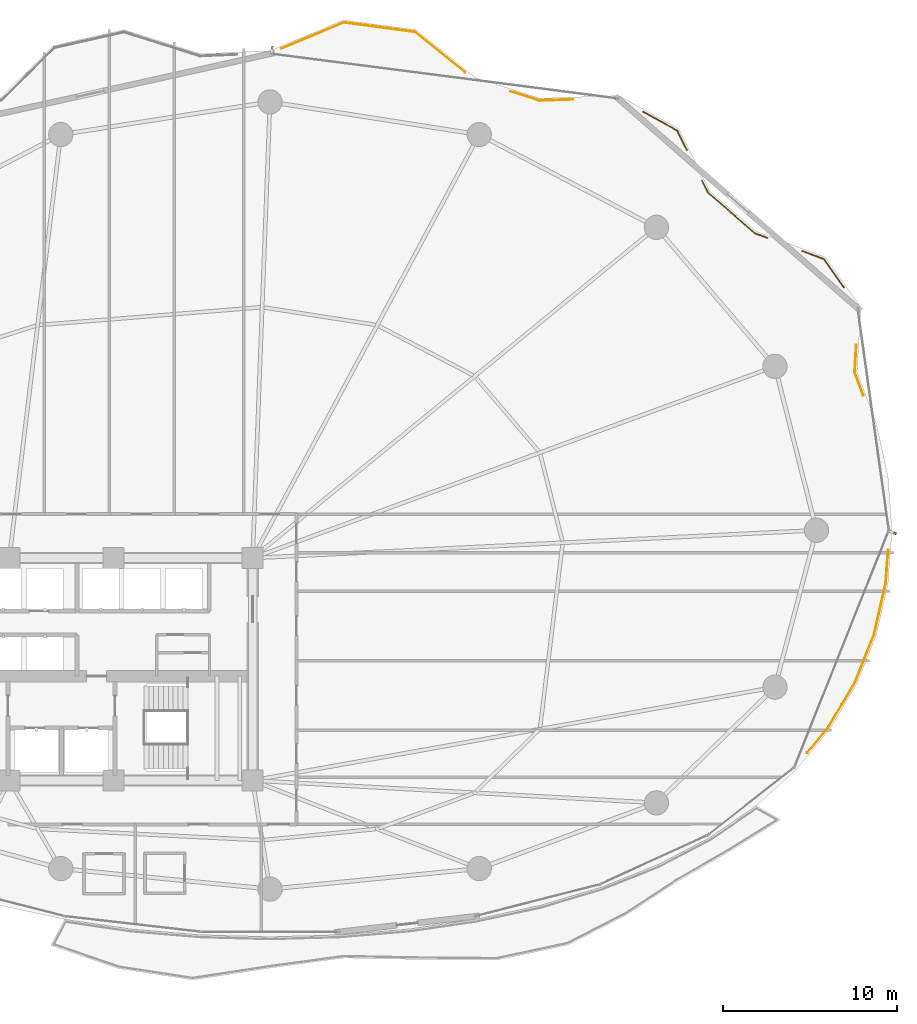
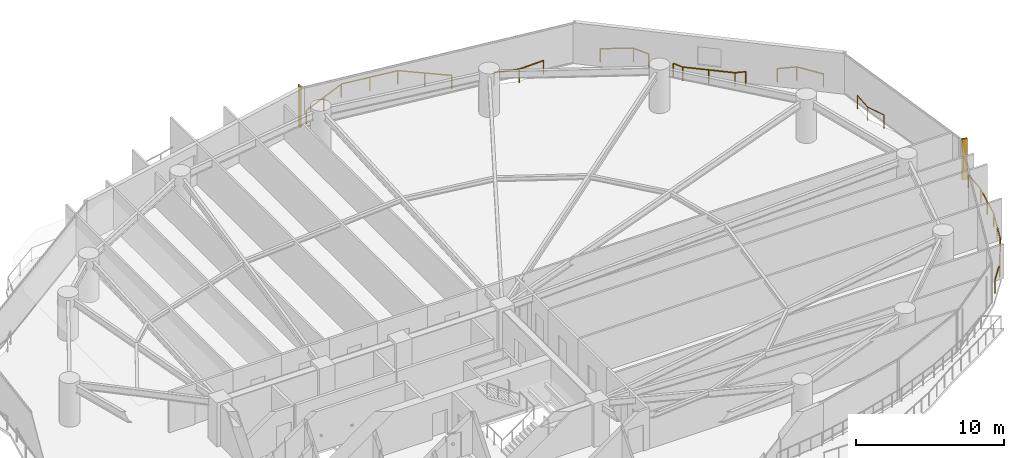
# One storey, part 32 of 32: 7 railings, 2 shading devices.
"""IFC4 building model written with IfcOpenShell, lengths in metres."""

from ifc_helpers import new_model, si_unit, direction, frame, origin, origin_2d, place, context, subcontext, project, spatial, rectangle, extrude, material, type_object, element, save


model = new_model("IFC4")

# Units and contexts
model_context = context("Model", 3, precision=1e-05, world=origin(), true_north=direction((0.0, 1.0)))
body_context = subcontext(model_context, "Body", "Model", "MODEL_VIEW")
ifc_project = project(units=[si_unit("LENGTHUNIT", "METRE"), si_unit("AREAUNIT", "SQUARE_METRE"), si_unit("VOLUMEUNIT", "CUBIC_METRE"), si_unit("PLANEANGLEUNIT", "RADIAN"), si_unit("MASSUNIT", "GRAM", prefix="KILO")], contexts=[model_context])

# Site, building, storey
site_placement = place(None, origin())
site = spatial("IfcSite", under=ifc_project, at=site_placement, CompositionType="ELEMENT")
building_placement = place(site_placement, origin())
building = spatial("IfcBuilding", under=site, at=building_placement, Name="Kazevale Care Tower and Concert Hall", CompositionType="ELEMENT")
storey_placement = place(building_placement, frame((0.0, 0.0, 42.0)))
storey = spatial("IfcBuildingStorey", under=building, at=storey_placement, Name="L10", CompositionType="ELEMENT", Elevation=42.0)

# Railings
ifc_material_1 = material(Name="Anodised Bronze Aluminium and Laminated Glass", Category="aluminium")
railing_type = type_object("IfcRailingType", Name="Balcony and Terrace Balustrade 1120", PredefinedType="BALUSTRADE", material=ifc_material_1)
railing_1_placement = place(storey_placement, frame((45.662109375, 65.72509765625, 0.0)))
element("IfcRailing", 1, at=railing_1_placement, inside=storey, type_object=railing_type, Name="rail:L10:perim:6", PredefinedType="BALUSTRADE", context=body_context, shape_type="SweptSolid", body=[
    extrude(rectangle(XDim=0.048095703125, YDim=0.048095703125, at=origin_2d()), frame((0.0, 0.0, 1.09619140625), z_axis=(0.922935495633, 0.384954634861, 0.0), x_axis=(-0.384954634861, 0.922935495633, 0.0)), (0.0, 0.0, 1.0), 3.88330078125),
    extrude(rectangle(XDim=0.048095703125, YDim=0.048095703125, at=origin_2d()), frame((3.583984375, 1.494873046875, 1.09619140625), z_axis=(0.991270154013, -0.131846432499, 0.0), x_axis=(0.131846432499, 0.991270154013, 0.0)), (0.0, 0.0, 1.0), 4.133056640625),
    extrude(rectangle(XDim=0.048095703125, YDim=0.048095703125, at=origin_2d()), frame((7.680908203125, 0.949951171875, 1.09619140625), z_axis=(0.778836557987, -0.627226925397, 0.0), x_axis=(0.627226925397, 0.778836557987, 0.0)), (0.0, 0.0, 1.0), 3.687744140625),
    extrude(rectangle(XDim=0.0419921875, YDim=0.0419921875, at=origin_2d()), origin(), (0.0, 0.0, 1.0), 1.072021484375),
    extrude(rectangle(XDim=0.0419921875, YDim=0.0419921875, at=origin_2d()), frame((1.7919921875, 0.74755859375, 0.0)), (0.0, 0.0, 1.0), 1.072021484375),
    extrude(rectangle(XDim=0.0419921875, YDim=0.0419921875, at=origin_2d()), frame((3.583984375, 1.494873046875, 0.0)), (0.0, 0.0, 1.0), 1.072021484375),
    extrude(rectangle(XDim=0.0419921875, YDim=0.0419921875, at=origin_2d()), frame((5.63232421875, 1.222412109375, 0.0)), (0.0, 0.0, 1.0), 1.072021484375),
    extrude(rectangle(XDim=0.0419921875, YDim=0.0419921875, at=origin_2d()), frame((7.680908203125, 0.949951171875, 0.0)), (0.0, 0.0, 1.0), 1.072021484375),
    extrude(rectangle(XDim=0.0419921875, YDim=0.0419921875, at=origin_2d()), frame((9.116943359375, -0.20654296875, 0.0)), (0.0, 0.0, 1.0), 1.072021484375),
    extrude(rectangle(XDim=0.0419921875, YDim=0.0419921875, at=origin_2d()), frame((10.552978515625, -1.363037109375, 0.0)), (0.0, 0.0, 1.0), 1.072021484375),
])
railing_2_placement = place(storey_placement, frame((58.860107421875, 63.25390625, 0.0)))
element("IfcRailing", 2, at=railing_2_placement, inside=storey, type_object=railing_type, Name="rail:L10:perim:7", PredefinedType="BALUSTRADE", context=body_context, shape_type="SweptSolid", body=[
    extrude(rectangle(XDim=0.048095703125, YDim=0.048095703125, at=origin_2d()), frame((0.0, 0.0, 1.09619140625), z_axis=(0.952655744415, -0.304051036231, 0.0), x_axis=(0.304051036231, 0.952655744415, 0.0)), (0.0, 0.0, 1.0), 1.736083984375),
    extrude(rectangle(XDim=0.048095703125, YDim=0.048095703125, at=origin_2d()), frame((1.65380859375, -0.52783203125, 1.09619140625), z_axis=(0.999433903687, 0.033643307818, 0.0), x_axis=(-0.033643307818, 0.999433903687, 0.0)), (0.0, 0.0, 1.0), 1.93017578125),
    extrude(rectangle(XDim=0.0419921875, YDim=0.0419921875, at=origin_2d()), origin(), (0.0, 0.0, 1.0), 1.072021484375),
    extrude(rectangle(XDim=0.0419921875, YDim=0.0419921875, at=origin_2d()), frame((1.65380859375, -0.52783203125, 0.0)), (0.0, 0.0, 1.0), 1.072021484375),
    extrude(rectangle(XDim=0.0419921875, YDim=0.0419921875, at=origin_2d()), frame((3.5830078125, -0.462890625, 0.0)), (0.0, 0.0, 1.0), 1.072021484375),
])
railing_3_placement = place(storey_placement, frame((66.472900390625, 62.089111328125, 0.0)))
element("IfcRailing", 3, at=railing_3_placement, inside=storey, type_object=railing_type, Name="rail:L10:perim:8", PredefinedType="BALUSTRADE", context=body_context, shape_type="SweptSolid", body=[
    extrude(rectangle(XDim=0.048095703125, YDim=0.048095703125, at=origin_2d()), frame((0.0, 0.0, 1.09619140625), z_axis=(0.874275517838, -0.485430035029, 0.0), x_axis=(0.485430035029, 0.874275517838, 0.0)), (0.0, 0.0, 1.0), 2.239501953125),
    extrude(rectangle(XDim=0.048095703125, YDim=0.048095703125, at=origin_2d()), frame((1.9580078125, -1.087158203125, 1.09619140625), z_axis=(0.444046102308, -0.896003939179, 0.0), x_axis=(0.896003939179, 0.444046102308, 0.0)), (0.0, 0.0, 1.0), 1.234375),
    extrude(rectangle(XDim=0.0419921875, YDim=0.0419921875, at=origin_2d()), origin(), (0.0, 0.0, 1.0), 1.072021484375),
    extrude(rectangle(XDim=0.0419921875, YDim=0.0419921875, at=origin_2d()), frame((1.9580078125, -1.087158203125, 0.0)), (0.0, 0.0, 1.0), 1.072021484375),
    extrude(rectangle(XDim=0.0419921875, YDim=0.0419921875, at=origin_2d()), frame((2.506103515625, -2.193115234375, 0.0)), (0.0, 0.0, 1.0), 1.072021484375),
])
railing_4_placement = place(storey_placement, frame((69.863037109375, 58.112060546875, 0.0)))
element("IfcRailing", 4, at=railing_4_placement, inside=storey, type_object=railing_type, Name="rail:L10:perim:9", PredefinedType="BALUSTRADE", context=body_context, shape_type="SweptSolid", body=[
    extrude(rectangle(XDim=0.048095703125, YDim=0.048095703125, at=origin_2d()), frame((0.0, 0.0, 1.09619140625), z_axis=(0.444393893797, -0.895831494845, 0.0), x_axis=(0.895831494845, 0.444393893797, 0.0)), (0.0, 0.0, 1.0), 0.762451171875),
    extrude(rectangle(XDim=0.048095703125, YDim=0.048095703125, at=origin_2d()), frame((0.3388671875, -0.68310546875, 1.09619140625), z_axis=(0.75707551803, -0.653327375823, 0.0), x_axis=(0.653327375823, 0.75707551803, 0.0)), (0.0, 0.0, 1.0), 3.586181640625),
    extrude(rectangle(XDim=0.048095703125, YDim=0.048095703125, at=origin_2d()), frame((3.053955078125, -3.026123046875, 1.09619140625), z_axis=(0.936649557244, -0.350267907344, 0.0), x_axis=(0.350267907344, 0.936649557244, 0.0)), (0.0, 0.0, 1.0), 0.750732421875),
    extrude(rectangle(XDim=0.0419921875, YDim=0.0419921875, at=origin_2d()), origin(), (0.0, 0.0, 1.0), 1.072021484375),
    extrude(rectangle(XDim=0.0419921875, YDim=0.0419921875, at=origin_2d()), frame((0.3388671875, -0.68310546875, 0.0)), (0.0, 0.0, 1.0), 1.072021484375),
    extrude(rectangle(XDim=0.0419921875, YDim=0.0419921875, at=origin_2d()), frame((1.6962890625, -1.8544921875, 0.0)), (0.0, 0.0, 1.0), 1.072021484375),
    extrude(rectangle(XDim=0.0419921875, YDim=0.0419921875, at=origin_2d()), frame((3.053955078125, -3.026123046875, 0.0)), (0.0, 0.0, 1.0), 1.072021484375),
    extrude(rectangle(XDim=0.0419921875, YDim=0.0419921875, at=origin_2d()), frame((3.757080078125, -3.2890625, 0.0)), (0.0, 0.0, 1.0), 1.072021484375),
])
railing_5_placement = place(storey_placement, frame((75.635009765625, 54.069091796875, 0.0)))
element("IfcRailing", 5, at=railing_5_placement, inside=storey, type_object=railing_type, Name="rail:L10:perim:10", PredefinedType="BALUSTRADE", context=body_context, shape_type="SweptSolid", body=[
    extrude(rectangle(XDim=0.048095703125, YDim=0.048095703125, at=origin_2d()), frame((0.0, 0.0, 1.09619140625), z_axis=(0.936458028314, -0.35077964765, 0.0), x_axis=(0.35077964765, 0.936458028314, 0.0)), (0.0, 0.0, 1.0), 1.322998046875),
    extrude(rectangle(XDim=0.048095703125, YDim=0.048095703125, at=origin_2d()), frame((1.239013671875, -0.464111328125, 1.09619140625), z_axis=(0.576750616528, -0.816920269264, 0.0), x_axis=(0.816920269264, 0.576750616528, 0.0)), (0.0, 0.0, 1.0), 1.990478515625),
    extrude(rectangle(XDim=0.0419921875, YDim=0.0419921875, at=origin_2d()), origin(), (0.0, 0.0, 1.0), 1.072021484375),
    extrude(rectangle(XDim=0.0419921875, YDim=0.0419921875, at=origin_2d()), frame((1.239013671875, -0.464111328125, 0.0)), (0.0, 0.0, 1.0), 1.072021484375),
    extrude(rectangle(XDim=0.0419921875, YDim=0.0419921875, at=origin_2d()), frame((2.386962890625, -2.090087890625, 0.0)), (0.0, 0.0, 1.0), 1.072021484375),
])
railing_6_placement = place(storey_placement, frame((80.575927734375, 36.864990234375, 0.0)))
element("IfcRailing", 6, at=railing_6_placement, inside=storey, type_object=railing_type, Name="rail:L10:perim:11", PredefinedType="BALUSTRADE", context=body_context, shape_type="SweptSolid", body=[
    extrude(rectangle(XDim=0.048095703125, YDim=0.048095703125, at=origin_2d()), frame((0.0, 0.0, 1.09619140625), z_axis=(-0.072929321708, -0.99733711153, 0.0), x_axis=(0.99733711153, -0.072929321708, 0.0)), (0.0, 0.0, 1.0), 1.918212890625),
    extrude(rectangle(XDim=0.048095703125, YDim=0.048095703125, at=origin_2d()), frame((-0.139892578125, -1.9130859375, 1.09619140625), z_axis=(-0.22169815306, -0.975115341347, 0.0), x_axis=(0.975115341347, -0.22169815306, 0.0)), (0.0, 0.0, 1.0), 3.012939453125),
    extrude(rectangle(XDim=0.048095703125, YDim=0.048095703125, at=origin_2d()), frame((-0.807861328125, -4.85107421875, 1.09619140625), z_axis=(-0.369500413357, -0.92923056586, 0.0), x_axis=(0.92923056586, -0.369500413357, 0.0)), (0.0, 0.0, 1.0), 2.985107421875),
    extrude(rectangle(XDim=0.048095703125, YDim=0.048095703125, at=origin_2d()), frame((-1.910888671875, -7.625, 1.09619140625), z_axis=(-0.510655847211, -0.859785209055, 0.0), x_axis=(0.859785209055, -0.510655847211, 0.0)), (0.0, 0.0, 1.0), 2.986572265625),
    extrude(rectangle(XDim=0.048095703125, YDim=0.048095703125, at=origin_2d()), frame((-3.43603515625, -10.19287109375, 1.09619140625), z_axis=(-0.636478085384, -0.771294785945, 0.0), x_axis=(0.771294785945, -0.636478085384, 0.0)), (0.0, 0.0, 1.0), 1.90869140625),
    extrude(rectangle(XDim=0.0419921875, YDim=0.0419921875, at=origin_2d()), origin(), (0.0, 0.0, 1.0), 1.072021484375),
    extrude(rectangle(XDim=0.0419921875, YDim=0.0419921875, at=origin_2d()), frame((-0.139892578125, -1.9130859375, 0.0)), (0.0, 0.0, 1.0), 1.072021484375),
    extrude(rectangle(XDim=0.0419921875, YDim=0.0419921875, at=origin_2d()), frame((-0.473876953125, -3.382080078125, 0.0)), (0.0, 0.0, 1.0), 1.072021484375),
    extrude(rectangle(XDim=0.0419921875, YDim=0.0419921875, at=origin_2d()), frame((-0.807861328125, -4.85107421875, 0.0)), (0.0, 0.0, 1.0), 1.072021484375),
    extrude(rectangle(XDim=0.0419921875, YDim=0.0419921875, at=origin_2d()), frame((-1.359375, -6.238037109375, 0.0)), (0.0, 0.0, 1.0), 1.072021484375),
    extrude(rectangle(XDim=0.0419921875, YDim=0.0419921875, at=origin_2d()), frame((-1.910888671875, -7.625, 0.0)), (0.0, 0.0, 1.0), 1.072021484375),
    extrude(rectangle(XDim=0.0419921875, YDim=0.0419921875, at=origin_2d()), frame((-2.67333984375, -8.908935546875, 0.0)), (0.0, 0.0, 1.0), 1.072021484375),
    extrude(rectangle(XDim=0.0419921875, YDim=0.0419921875, at=origin_2d()), frame((-3.43603515625, -10.19287109375, 0.0)), (0.0, 0.0, 1.0), 1.072021484375),
    extrude(rectangle(XDim=0.0419921875, YDim=0.0419921875, at=origin_2d()), frame((-4.65087890625, -11.6650390625, 0.0)), (0.0, 0.0, 1.0), 1.072021484375),
])
railing_7_placement = place(storey_placement, frame((78.741943359375, 48.64794921875, 0.0)))
element("IfcRailing", 7, at=railing_7_placement, inside=storey, type_object=railing_type, Name="rail:L10:perim:12", PredefinedType="BALUSTRADE", context=body_context, shape_type="SweptSolid", body=[
    extrude(rectangle(XDim=0.048095703125, YDim=0.048095703125, at=origin_2d()), frame((0.0, 0.0, 1.09619140625), z_axis=(-0.059751650803, -0.998213273918, 0.0), x_axis=(0.998213273918, -0.059751650803, 0.0)), (0.0, 0.0, 1.0), 1.556640625),
    extrude(rectangle(XDim=0.048095703125, YDim=0.048095703125, at=origin_2d()), frame((-0.093017578125, -1.553955078125, 1.09619140625), z_axis=(0.350671286185, -0.936498611342, 0.0), x_axis=(0.936498611342, 0.350671286185, 0.0)), (0.0, 0.0, 1.0), 1.420166015625),
    extrude(rectangle(XDim=0.0419921875, YDim=0.0419921875, at=origin_2d()), origin(), (0.0, 0.0, 1.0), 1.072021484375),
    extrude(rectangle(XDim=0.0419921875, YDim=0.0419921875, at=origin_2d()), frame((-0.093017578125, -1.553955078125, 0.0)), (0.0, 0.0, 1.0), 1.072021484375),
    extrude(rectangle(XDim=0.0419921875, YDim=0.0419921875, at=origin_2d()), frame((0.405029296875, -2.884033203125, 0.0)), (0.0, 0.0, 1.0), 1.072021484375),
])

# Shading devices
ifc_material_2 = material(Name="Honed Ochre Limestone", Category="masonry")
shading_device_type = type_object("IfcShadingDeviceType", Name="Vertical Honed Limestone Fin FIN-01", PredefinedType="USERDEFINED", material=ifc_material_2)
for number, where, z_axis, x_axis, name in (
    (8, (80.861572265625, 37.860595703125, 0.0), (0.0, 0.0, 1.0), (0.928874213199, -0.370395324019, 0.0), "cw:L10:f01:fin"),
    (9, (45.110595703125, 65.676025390625, 0.0), (0.0, 0.0, 1.0), (0.128103248172, 0.991760837, 0.0), "cw:L10:f16:fin"),
):
    element("IfcShadingDevice", number, at=place(storey_placement, frame(where, z_axis=z_axis, x_axis=x_axis)), inside=storey, type_object=shading_device_type, Name=name, ObjectType="FIN", PredefinedType="USERDEFINED", context=body_context, shape_type="SweptSolid", body=[
        extrude(rectangle(XDim=0.3798828125, YDim=0.1201171875, at=origin_2d()), origin(), (0.0, 0.0, 1.0), 3.360107421875),
    ])

save(model, "model.ifc")
